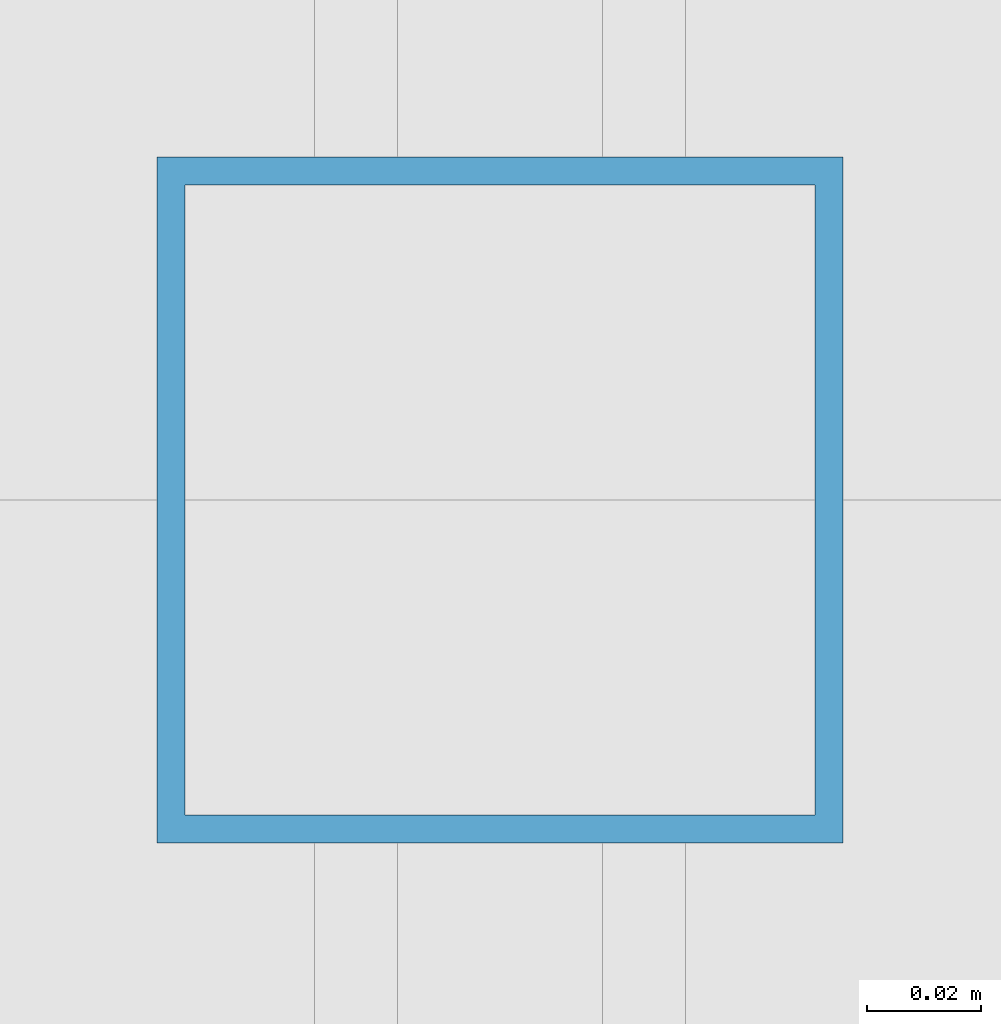
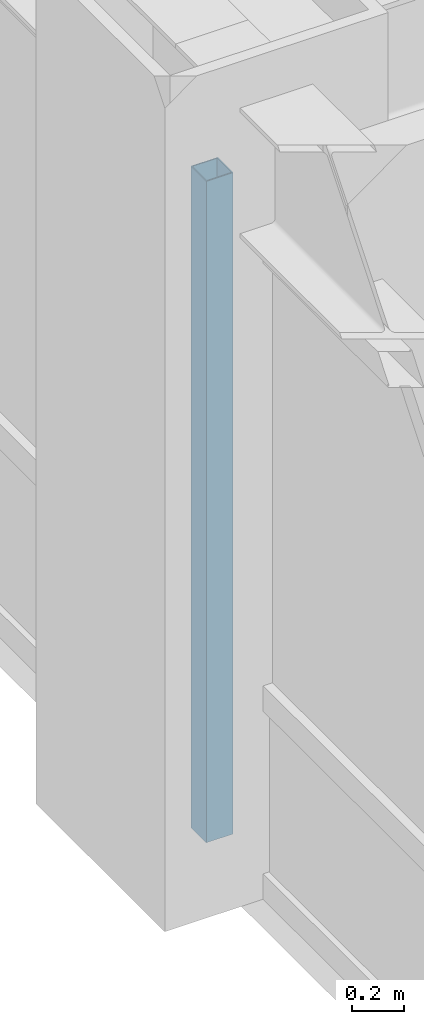
# One storey, part 6 of 24: 1 member, 1 element without a shape of its own.
"""IFC4 building model written with IfcOpenShell, lengths in metres."""

from ifc_helpers import new_model, si_unit, direction, frame, origin, origin_2d, place, context, subcontext, project, spatial, hollow_rectangle, extrude, source, transform, mapped, material, material_profile, profile_set, type_object, element, aggregate, save


model = new_model("IFC4")

# Units and contexts
model_context = context("Model", 3, precision=1e-05, world=origin(), true_north=direction((0.0, 1.0)))
body_context = subcontext(model_context, "Body", "Model", "MODEL_VIEW")
ifc_project = project(units=[si_unit("LENGTHUNIT", "METRE"), si_unit("AREAUNIT", "SQUARE_METRE"), si_unit("VOLUMEUNIT", "CUBIC_METRE"), si_unit("PLANEANGLEUNIT", "RADIAN"), si_unit("MASSUNIT", "GRAM", prefix="KILO")], contexts=[model_context])

# Site, building, storey
site_placement = place(None, origin())
site = spatial("IfcSite", under=ifc_project, at=site_placement, CompositionType="ELEMENT")
building_placement = place(site_placement, origin())
building = spatial("IfcBuilding", under=site, at=building_placement, Name="Khorayat Bourse Tower", CompositionType="ELEMENT")
storey_placement = place(building_placement, frame((0.0, 0.0, 215.10009765625)))
storey = spatial("IfcBuildingStorey", under=building, at=storey_placement, Name="L50", CompositionType="ELEMENT", Elevation=215.10009765625)

# Curtain wall, member
ifc_material = material(Name="Aluminium EN AW-6063 T6", Category="aluminium")
curtain_wall_type = type_object("IfcCurtainWallType", Name="CW-SYS-03", PredefinedType="NOTDEFINED", material=ifc_material)
curtain_wall_placement = place(storey_placement, origin())
curtain_wall = element("IfcCurtainWall", 1, at=curtain_wall_placement, inside=storey, type_object=curtain_wall_type, Name="L50 Curtain Wall CW-L50-W1", PredefinedType="NOTDEFINED")
ifc_material_profile = material_profile(ifc_material, hollow_rectangle(XDim=0.1201171875, YDim=0.1201171875, WallThickness=0.0048828125, at=origin_2d()), Name="ALU 120x120x5")
ifc_profile_set = profile_set([ifc_material_profile], Name="Aluminium EN AW-6063 T6")
member_type = type_object("IfcMemberType", Name="CWM-VERT-120", PredefinedType="MULLION", material=ifc_profile_set)
shared_shape = source(origin(), body_context, "Body", "SweptSolid", [
    extrude(hollow_rectangle(XDim=0.1201171875, YDim=0.1201171875, WallThickness=0.0048828125, at=origin_2d()), origin(), (0.0, 0.0, 1.0), 3.1298828125),
])
member_placement = place(storey_placement, frame((-30.0, 0.0, 0.0), z_axis=(0.0, 0.0, 1.0), x_axis=(-1.0, 0.0, 0.0)))
member = element("IfcMember", 2, at=member_placement, type_object=member_type, Name="CW-L50-W1 Vertical Mullion 2", PredefinedType="MULLION", context=body_context, shape_type="MappedRepresentation", body=[
    mapped(shared_shape, transform((0.0, 0.0, 0.0), scale=1.0)),
])
aggregate(curtain_wall, [member])

save(model, "model.ifc")
